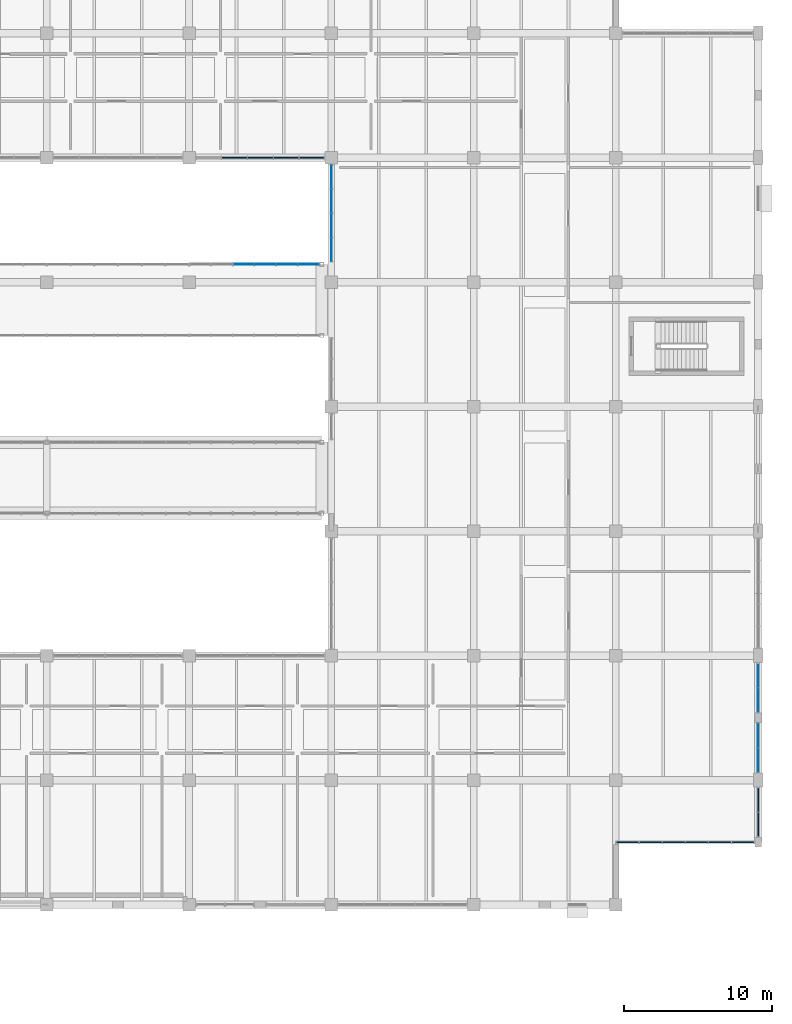
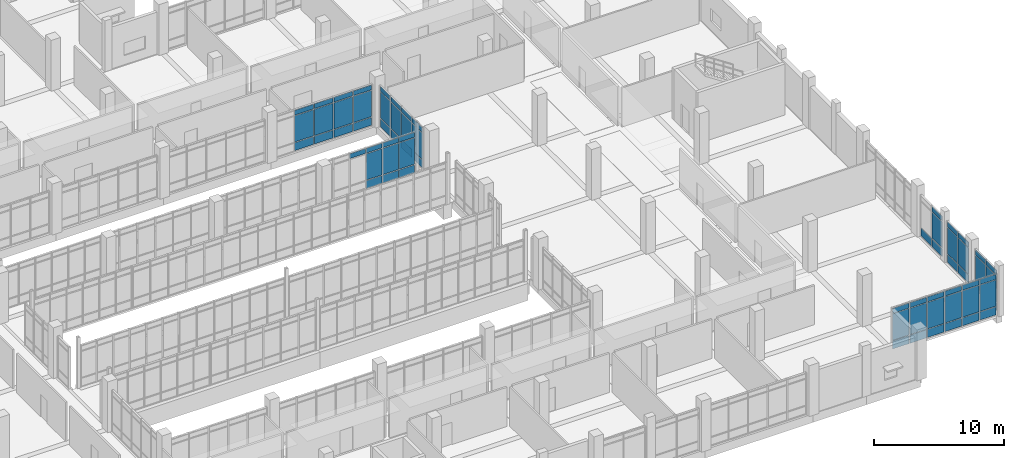
# One storey, part 103 of 152: 68 plates, 7 elements without a shape of their own.
"""IFC4 building model written with IfcOpenShell, lengths in metres."""

from ifc_helpers import new_model, si_unit, direction, frame, origin, origin_2d, place, context, subcontext, project, spatial, rectangle, extrude, material, layer, layer_set, type_object, element, aggregate, save


model = new_model("IFC4")

# Units and contexts
model_context = context("Model", 3, precision=1e-05, world=origin(), true_north=direction((0.0, 1.0)))
body_context = subcontext(model_context, "Body", "Model", "MODEL_VIEW")
ifc_project = project(units=[si_unit("LENGTHUNIT", "METRE"), si_unit("AREAUNIT", "SQUARE_METRE"), si_unit("VOLUMEUNIT", "CUBIC_METRE"), si_unit("PLANEANGLEUNIT", "RADIAN"), si_unit("MASSUNIT", "GRAM", prefix="KILO")], contexts=[model_context])

# Site, building, storey
site_placement = place(None, origin())
site = spatial("IfcSite", under=ifc_project, at=site_placement, CompositionType="ELEMENT")
building_placement = place(site_placement, origin())
building = spatial("IfcBuilding", under=site, at=building_placement, Name="Oolite Switchyard Hospital", CompositionType="ELEMENT")
storey_placement = place(building_placement, frame((0.0, 0.0, 5.10009765625)))
storey = spatial("IfcBuildingStorey", under=building, at=storey_placement, Name="L01", CompositionType="ELEMENT", Elevation=5.10009765625)

# Curtain wall, plates
ifc_material_1 = material(Name="Thermally broken aluminum frame with laminated impact glazing", Category="aluminium")
curtain_wall_type_1 = type_object("IfcCurtainWallType", Name="CW-BRG-96X38", PredefinedType="USERDEFINED", material=ifc_material_1)
curtain_wall_1_placement = place(storey_placement, origin())
curtain_wall_1 = element("IfcCurtainWall", 1, at=curtain_wall_1_placement, inside=storey, type_object=curtain_wall_type_1, Name="L01 Unitised Curtain Wall 129", ObjectType="UNITISED", PredefinedType="USERDEFINED")
ifc_material_2 = material(Name="Insulated fluoropolymer-coated aluminum spandrel panel", Category="aluminium")
ifc_layer_1 = layer(ifc_material_2, 0.054931640625)
ifc_layer_set_1 = layer_set([ifc_layer_1], Name="CW-PNL-SPN55")
plate_type_1 = type_object("IfcPlateType", Name="CW-PNL-SPN55", PredefinedType="CURTAIN_PANEL", material=ifc_layer_set_1)
plate_1_placement = place(storey_placement, frame((176.469970703125, 51.60009765625, 3.427490234375), z_axis=(0.0, 0.0, 1.0), x_axis=(1.0, 0.0, 0.0)))
plate_1 = element("IfcPlate", 2, at=plate_1_placement, type_object=plate_type_1, Name="CW-12 panel 3.3", PredefinedType="CURTAIN_PANEL", context=body_context, shape_type="SweptSolid", body=[
    extrude(rectangle(XDim=1.39794921875, YDim=0.054931640625, at=origin_2d()), origin(), (0.0, 0.0, 1.0), 0.4375),
])
plate_2_placement = place(storey_placement, frame((177.93798828125, 51.60009765625, 0.07470703125), z_axis=(0.0, 0.0, 1.0), x_axis=(1.0, 0.0, 0.0)))
plate_2 = element("IfcPlate", 3, at=plate_2_placement, type_object=plate_type_1, Name="CW-12 panel 4.1", PredefinedType="CURTAIN_PANEL", context=body_context, shape_type="SweptSolid", body=[
    extrude(rectangle(XDim=1.39794921875, YDim=0.054931640625, at=origin_2d()), origin(), (0.0, 0.0, 1.0), 0.737548828125),
])
plate_3_placement = place(storey_placement, frame((177.93798828125, 51.60009765625, 0.88720703125), z_axis=(0.0, 0.0, 1.0), x_axis=(1.0, 0.0, 0.0)))
plate_3 = element("IfcPlate", 4, at=plate_3_placement, type_object=plate_type_1, Name="CW-12 panel 4.2", PredefinedType="CURTAIN_PANEL", context=body_context, shape_type="SweptSolid", body=[
    extrude(rectangle(XDim=1.39794921875, YDim=0.054931640625, at=origin_2d()), origin(), (0.0, 0.0, 1.0), 2.465087890625),
])
plate_4_placement = place(storey_placement, frame((177.93798828125, 51.60009765625, 3.427490234375), z_axis=(0.0, 0.0, 1.0), x_axis=(1.0, 0.0, 0.0)))
plate_4 = element("IfcPlate", 5, at=plate_4_placement, type_object=plate_type_1, Name="CW-12 panel 4.3", PredefinedType="CURTAIN_PANEL", context=body_context, shape_type="SweptSolid", body=[
    extrude(rectangle(XDim=1.39794921875, YDim=0.054931640625, at=origin_2d()), origin(), (0.0, 0.0, 1.0), 0.4375),
])
plate_5_placement = place(storey_placement, frame((179.406005859375, 51.60009765625, 0.07470703125), z_axis=(0.0, 0.0, 1.0), x_axis=(1.0, 0.0, 0.0)))
plate_5 = element("IfcPlate", 6, at=plate_5_placement, type_object=plate_type_1, Name="CW-12 panel 5.1", PredefinedType="CURTAIN_PANEL", context=body_context, shape_type="SweptSolid", body=[
    extrude(rectangle(XDim=1.39794921875, YDim=0.054931640625, at=origin_2d()), origin(), (0.0, 0.0, 1.0), 0.737548828125),
])
plate_6_placement = place(storey_placement, frame((179.406005859375, 51.60009765625, 0.88720703125), z_axis=(0.0, 0.0, 1.0), x_axis=(1.0, 0.0, 0.0)))
plate_6 = element("IfcPlate", 7, at=plate_6_placement, type_object=plate_type_1, Name="CW-12 panel 5.2", PredefinedType="CURTAIN_PANEL", context=body_context, shape_type="SweptSolid", body=[
    extrude(rectangle(XDim=1.39794921875, YDim=0.054931640625, at=origin_2d()), origin(), (0.0, 0.0, 1.0), 2.465087890625),
])
plate_7_placement = place(storey_placement, frame((179.406005859375, 51.60009765625, 3.427490234375), z_axis=(0.0, 0.0, 1.0), x_axis=(1.0, 0.0, 0.0)))
plate_7 = element("IfcPlate", 8, at=plate_7_placement, type_object=plate_type_1, Name="CW-12 panel 5.3", PredefinedType="CURTAIN_PANEL", context=body_context, shape_type="SweptSolid", body=[
    extrude(rectangle(XDim=1.39794921875, YDim=0.054931640625, at=origin_2d()), origin(), (0.0, 0.0, 1.0), 0.4375),
])
plate_8_placement = place(storey_placement, frame((180.8564453125, 51.60009765625, 0.07470703125), z_axis=(0.0, 0.0, 1.0), x_axis=(1.0, 0.0, 0.0)))
plate_8 = element("IfcPlate", 9, at=plate_8_placement, type_object=plate_type_1, Name="CW-12 panel 6.1", PredefinedType="CURTAIN_PANEL", context=body_context, shape_type="SweptSolid", body=[
    extrude(rectangle(XDim=1.363037109375, YDim=0.054931640625, at=origin_2d()), origin(), (0.0, 0.0, 1.0), 0.737548828125),
])
plate_9_placement = place(storey_placement, frame((180.8564453125, 51.60009765625, 0.88720703125), z_axis=(0.0, 0.0, 1.0), x_axis=(1.0, 0.0, 0.0)))
plate_9 = element("IfcPlate", 10, at=plate_9_placement, type_object=plate_type_1, Name="CW-12 panel 6.2", PredefinedType="CURTAIN_PANEL", context=body_context, shape_type="SweptSolid", body=[
    extrude(rectangle(XDim=1.363037109375, YDim=0.054931640625, at=origin_2d()), origin(), (0.0, 0.0, 1.0), 2.465087890625),
])
plate_10_placement = place(storey_placement, frame((180.8564453125, 51.60009765625, 3.427490234375), z_axis=(0.0, 0.0, 1.0), x_axis=(1.0, 0.0, 0.0)))
plate_10 = element("IfcPlate", 11, at=plate_10_placement, type_object=plate_type_1, Name="CW-12 panel 6.3", PredefinedType="CURTAIN_PANEL", context=body_context, shape_type="SweptSolid", body=[
    extrude(rectangle(XDim=1.363037109375, YDim=0.054931640625, at=origin_2d()), origin(), (0.0, 0.0, 1.0), 0.4375),
])
aggregate(curtain_wall_1, [plate_1, plate_2, plate_3, plate_4, plate_5, plate_6, plate_7, plate_8, plate_9, plate_10])

curtain_wall_type_2 = type_object("IfcCurtainWallType", Name="CW-UNIT-96X48", PredefinedType="USERDEFINED", material=ifc_material_1)
curtain_wall_2_placement = place(storey_placement, origin())
curtain_wall_2 = element("IfcCurtainWall", 12, at=curtain_wall_2_placement, inside=storey, type_object=curtain_wall_type_2, Name="L01 Unitised Curtain Wall 102", ObjectType="UNITISED", PredefinedType="USERDEFINED")
ifc_layer_2 = layer(ifc_material_2, 0.070068359375)
ifc_layer_set_2 = layer_set([ifc_layer_2], Name="CW-PNL-SPN70")
plate_type_2 = type_object("IfcPlateType", Name="CW-PNL-SPN70", PredefinedType="CURTAIN_PANEL", material=ifc_layer_set_2)
plate_11_placement = place(storey_placement, frame((210.16259765625, 12.60009765625, 0.06005859375), z_axis=(0.0, 0.0, 1.0), x_axis=(-1.0, 0.0, 0.0)))
plate_11 = element("IfcPlate", 13, at=plate_11_placement, type_object=plate_type_2, Name="CW-02 panel 1.1", PredefinedType="CURTAIN_PANEL", context=body_context, shape_type="SweptSolid", body=[
    extrude(rectangle(XDim=1.455078125, YDim=0.070068359375, at=origin_2d()), origin(), (0.0, 0.0, 1.0), 0.760009765625),
])
plate_12_placement = place(storey_placement, frame((210.16259765625, 12.60009765625, 0.8798828125), z_axis=(0.0, 0.0, 1.0), x_axis=(-1.0, 0.0, 0.0)))
plate_12 = element("IfcPlate", 14, at=plate_12_placement, type_object=plate_type_2, Name="CW-02 panel 1.2", PredefinedType="CURTAIN_PANEL", context=body_context, shape_type="SweptSolid", body=[
    extrude(rectangle(XDim=1.455078125, YDim=0.070068359375, at=origin_2d()), origin(), (0.0, 0.0, 1.0), 2.47998046875),
])
plate_13_placement = place(storey_placement, frame((210.16259765625, 12.60009765625, 3.419921875), z_axis=(0.0, 0.0, 1.0), x_axis=(-1.0, 0.0, 0.0)))
plate_13 = element("IfcPlate", 15, at=plate_13_placement, type_object=plate_type_2, Name="CW-02 panel 1.3", PredefinedType="CURTAIN_PANEL", context=body_context, shape_type="SweptSolid", body=[
    extrude(rectangle(XDim=1.455078125, YDim=0.070068359375, at=origin_2d()), origin(), (0.0, 0.0, 1.0), 0.4599609375),
])
plate_14_placement = place(storey_placement, frame((208.6201171875, 12.60009765625, 0.06005859375), z_axis=(0.0, 0.0, 1.0), x_axis=(-1.0, 0.0, 0.0)))
plate_14 = element("IfcPlate", 16, at=plate_14_placement, type_object=plate_type_2, Name="CW-02 panel 2.1", PredefinedType="CURTAIN_PANEL", context=body_context, shape_type="SweptSolid", body=[
    extrude(rectangle(XDim=1.489990234375, YDim=0.070068359375, at=origin_2d()), origin(), (0.0, 0.0, 1.0), 0.760009765625),
])
plate_15_placement = place(storey_placement, frame((208.6201171875, 12.60009765625, 0.8798828125), z_axis=(0.0, 0.0, 1.0), x_axis=(-1.0, 0.0, 0.0)))
plate_15 = element("IfcPlate", 17, at=plate_15_placement, type_object=plate_type_2, Name="CW-02 panel 2.2", PredefinedType="CURTAIN_PANEL", context=body_context, shape_type="SweptSolid", body=[
    extrude(rectangle(XDim=1.489990234375, YDim=0.070068359375, at=origin_2d()), origin(), (0.0, 0.0, 1.0), 2.47998046875),
])
plate_16_placement = place(storey_placement, frame((208.6201171875, 12.60009765625, 3.419921875), z_axis=(0.0, 0.0, 1.0), x_axis=(-1.0, 0.0, 0.0)))
plate_16 = element("IfcPlate", 18, at=plate_16_placement, type_object=plate_type_2, Name="CW-02 panel 2.3", PredefinedType="CURTAIN_PANEL", context=body_context, shape_type="SweptSolid", body=[
    extrude(rectangle(XDim=1.489990234375, YDim=0.070068359375, at=origin_2d()), origin(), (0.0, 0.0, 1.0), 0.4599609375),
])
plate_17_placement = place(storey_placement, frame((207.06005859375, 12.60009765625, 0.06005859375), z_axis=(0.0, 0.0, 1.0), x_axis=(-1.0, 0.0, 0.0)))
plate_17 = element("IfcPlate", 19, at=plate_17_placement, type_object=plate_type_2, Name="CW-02 panel 3.1", PredefinedType="CURTAIN_PANEL", context=body_context, shape_type="SweptSolid", body=[
    extrude(rectangle(XDim=1.489990234375, YDim=0.070068359375, at=origin_2d()), origin(), (0.0, 0.0, 1.0), 0.760009765625),
])
plate_18_placement = place(storey_placement, frame((207.06005859375, 12.60009765625, 0.8798828125), z_axis=(0.0, 0.0, 1.0), x_axis=(-1.0, 0.0, 0.0)))
plate_18 = element("IfcPlate", 20, at=plate_18_placement, type_object=plate_type_2, Name="CW-02 panel 3.2", PredefinedType="CURTAIN_PANEL", context=body_context, shape_type="SweptSolid", body=[
    extrude(rectangle(XDim=1.489990234375, YDim=0.070068359375, at=origin_2d()), origin(), (0.0, 0.0, 1.0), 2.47998046875),
])
plate_19_placement = place(storey_placement, frame((207.06005859375, 12.60009765625, 3.419921875), z_axis=(0.0, 0.0, 1.0), x_axis=(-1.0, 0.0, 0.0)))
plate_19 = element("IfcPlate", 21, at=plate_19_placement, type_object=plate_type_2, Name="CW-02 panel 3.3", PredefinedType="CURTAIN_PANEL", context=body_context, shape_type="SweptSolid", body=[
    extrude(rectangle(XDim=1.489990234375, YDim=0.070068359375, at=origin_2d()), origin(), (0.0, 0.0, 1.0), 0.4599609375),
])
plate_20_placement = place(storey_placement, frame((205.5, 12.60009765625, 0.06005859375), z_axis=(0.0, 0.0, 1.0), x_axis=(-1.0, 0.0, 0.0)))
plate_20 = element("IfcPlate", 22, at=plate_20_placement, type_object=plate_type_2, Name="CW-02 panel 4.1", PredefinedType="CURTAIN_PANEL", context=body_context, shape_type="SweptSolid", body=[
    extrude(rectangle(XDim=1.489990234375, YDim=0.070068359375, at=origin_2d()), origin(), (0.0, 0.0, 1.0), 0.760009765625),
])
plate_21_placement = place(storey_placement, frame((205.5, 12.60009765625, 0.8798828125), z_axis=(0.0, 0.0, 1.0), x_axis=(-1.0, 0.0, 0.0)))
plate_21 = element("IfcPlate", 23, at=plate_21_placement, type_object=plate_type_2, Name="CW-02 panel 4.2", PredefinedType="CURTAIN_PANEL", context=body_context, shape_type="SweptSolid", body=[
    extrude(rectangle(XDim=1.489990234375, YDim=0.070068359375, at=origin_2d()), origin(), (0.0, 0.0, 1.0), 2.47998046875),
])
plate_22_placement = place(storey_placement, frame((205.5, 12.60009765625, 3.419921875), z_axis=(0.0, 0.0, 1.0), x_axis=(-1.0, 0.0, 0.0)))
plate_22 = element("IfcPlate", 24, at=plate_22_placement, type_object=plate_type_2, Name="CW-02 panel 4.3", PredefinedType="CURTAIN_PANEL", context=body_context, shape_type="SweptSolid", body=[
    extrude(rectangle(XDim=1.489990234375, YDim=0.070068359375, at=origin_2d()), origin(), (0.0, 0.0, 1.0), 0.4599609375),
])
plate_23_placement = place(storey_placement, frame((203.93994140625, 12.60009765625, 0.06005859375), z_axis=(0.0, 0.0, 1.0), x_axis=(-1.0, 0.0, 0.0)))
plate_23 = element("IfcPlate", 25, at=plate_23_placement, type_object=plate_type_2, Name="CW-02 panel 5.1", PredefinedType="CURTAIN_PANEL", context=body_context, shape_type="SweptSolid", body=[
    extrude(rectangle(XDim=1.489990234375, YDim=0.070068359375, at=origin_2d()), origin(), (0.0, 0.0, 1.0), 0.760009765625),
])
plate_24_placement = place(storey_placement, frame((203.93994140625, 12.60009765625, 0.8798828125), z_axis=(0.0, 0.0, 1.0), x_axis=(-1.0, 0.0, 0.0)))
plate_24 = element("IfcPlate", 26, at=plate_24_placement, type_object=plate_type_2, Name="CW-02 panel 5.2", PredefinedType="CURTAIN_PANEL", context=body_context, shape_type="SweptSolid", body=[
    extrude(rectangle(XDim=1.489990234375, YDim=0.070068359375, at=origin_2d()), origin(), (0.0, 0.0, 1.0), 2.47998046875),
])
plate_25_placement = place(storey_placement, frame((203.93994140625, 12.60009765625, 3.419921875), z_axis=(0.0, 0.0, 1.0), x_axis=(-1.0, 0.0, 0.0)))
plate_25 = element("IfcPlate", 27, at=plate_25_placement, type_object=plate_type_2, Name="CW-02 panel 5.3", PredefinedType="CURTAIN_PANEL", context=body_context, shape_type="SweptSolid", body=[
    extrude(rectangle(XDim=1.489990234375, YDim=0.070068359375, at=origin_2d()), origin(), (0.0, 0.0, 1.0), 0.4599609375),
])
plate_26_placement = place(storey_placement, frame((202.3974609375, 12.60009765625, 0.06005859375), z_axis=(0.0, 0.0, 1.0), x_axis=(-1.0, 0.0, 0.0)))
plate_26 = element("IfcPlate", 28, at=plate_26_placement, type_object=plate_type_2, Name="CW-02 panel 6.1", PredefinedType="CURTAIN_PANEL", context=body_context, shape_type="SweptSolid", body=[
    extrude(rectangle(XDim=1.455078125, YDim=0.070068359375, at=origin_2d()), origin(), (0.0, 0.0, 1.0), 0.760009765625),
])
plate_27_placement = place(storey_placement, frame((202.3974609375, 12.60009765625, 0.8798828125), z_axis=(0.0, 0.0, 1.0), x_axis=(-1.0, 0.0, 0.0)))
plate_27 = element("IfcPlate", 29, at=plate_27_placement, type_object=plate_type_2, Name="CW-02 panel 6.2", PredefinedType="CURTAIN_PANEL", context=body_context, shape_type="SweptSolid", body=[
    extrude(rectangle(XDim=1.455078125, YDim=0.070068359375, at=origin_2d()), origin(), (0.0, 0.0, 1.0), 2.47998046875),
])
plate_28_placement = place(storey_placement, frame((202.3974609375, 12.60009765625, 3.419921875), z_axis=(0.0, 0.0, 1.0), x_axis=(-1.0, 0.0, 0.0)))
plate_28 = element("IfcPlate", 30, at=plate_28_placement, type_object=plate_type_2, Name="CW-02 panel 6.3", PredefinedType="CURTAIN_PANEL", context=body_context, shape_type="SweptSolid", body=[
    extrude(rectangle(XDim=1.455078125, YDim=0.070068359375, at=origin_2d()), origin(), (0.0, 0.0, 1.0), 0.4599609375),
])
aggregate(curtain_wall_2, [plate_11, plate_12, plate_13, plate_14, plate_15, plate_16, plate_17, plate_18, plate_19, plate_20, plate_21, plate_22, plate_23, plate_24, plate_25, plate_26, plate_27, plate_28])

curtain_wall_3_placement = place(storey_placement, origin())
curtain_wall_3 = element("IfcCurtainWall", 31, at=curtain_wall_3_placement, inside=storey, type_object=curtain_wall_type_2, Name="L01 Unitised Curtain Wall 133", ObjectType="UNITISED", PredefinedType="USERDEFINED")
plate_29_placement = place(storey_placement, frame((181.0693359375, 58.800048828125, 0.07470703125), z_axis=(0.0, 0.0, 1.0), x_axis=(-1.0, 0.0, 0.0)))
plate_29 = element("IfcPlate", 32, at=plate_29_placement, type_object=plate_type_2, Name="CW-02 panel 1.1", PredefinedType="CURTAIN_PANEL", context=body_context, shape_type="SweptSolid", body=[
    extrude(rectangle(XDim=1.631591796875, YDim=0.070068359375, at=origin_2d()), origin(), (0.0, 0.0, 1.0), 0.737548828125),
])
plate_30_placement = place(storey_placement, frame((181.0693359375, 58.800048828125, 0.88720703125), z_axis=(0.0, 0.0, 1.0), x_axis=(-1.0, 0.0, 0.0)))
plate_30 = element("IfcPlate", 33, at=plate_30_placement, type_object=plate_type_2, Name="CW-02 panel 1.2", PredefinedType="CURTAIN_PANEL", context=body_context, shape_type="SweptSolid", body=[
    extrude(rectangle(XDim=1.631591796875, YDim=0.070068359375, at=origin_2d()), origin(), (0.0, 0.0, 1.0), 2.465087890625),
])
plate_31_placement = place(storey_placement, frame((181.0693359375, 58.800048828125, 3.427490234375), z_axis=(0.0, 0.0, 1.0), x_axis=(-1.0, 0.0, 0.0)))
plate_31 = element("IfcPlate", 34, at=plate_31_placement, type_object=plate_type_2, Name="CW-02 panel 1.3", PredefinedType="CURTAIN_PANEL", context=body_context, shape_type="SweptSolid", body=[
    extrude(rectangle(XDim=1.631591796875, YDim=0.070068359375, at=origin_2d()), origin(), (0.0, 0.0, 1.0), 0.4375),
])
plate_32_placement = place(storey_placement, frame((179.343994140625, 58.800048828125, 0.07470703125), z_axis=(0.0, 0.0, 1.0), x_axis=(-1.0, 0.0, 0.0)))
plate_32 = element("IfcPlate", 35, at=plate_32_placement, type_object=plate_type_2, Name="CW-02 panel 2.1", PredefinedType="CURTAIN_PANEL", context=body_context, shape_type="SweptSolid", body=[
    extrude(rectangle(XDim=1.6689453125, YDim=0.070068359375, at=origin_2d()), origin(), (0.0, 0.0, 1.0), 0.737548828125),
])
plate_33_placement = place(storey_placement, frame((179.343994140625, 58.800048828125, 0.88720703125), z_axis=(0.0, 0.0, 1.0), x_axis=(-1.0, 0.0, 0.0)))
plate_33 = element("IfcPlate", 36, at=plate_33_placement, type_object=plate_type_2, Name="CW-02 panel 2.2", PredefinedType="CURTAIN_PANEL", context=body_context, shape_type="SweptSolid", body=[
    extrude(rectangle(XDim=1.6689453125, YDim=0.070068359375, at=origin_2d()), origin(), (0.0, 0.0, 1.0), 2.465087890625),
])
plate_34_placement = place(storey_placement, frame((179.343994140625, 58.800048828125, 3.427490234375), z_axis=(0.0, 0.0, 1.0), x_axis=(-1.0, 0.0, 0.0)))
plate_34 = element("IfcPlate", 37, at=plate_34_placement, type_object=plate_type_2, Name="CW-02 panel 2.3", PredefinedType="CURTAIN_PANEL", context=body_context, shape_type="SweptSolid", body=[
    extrude(rectangle(XDim=1.6689453125, YDim=0.070068359375, at=origin_2d()), origin(), (0.0, 0.0, 1.0), 0.4375),
])
plate_35_placement = place(storey_placement, frame((177.60009765625, 58.800048828125, 0.07470703125), z_axis=(0.0, 0.0, 1.0), x_axis=(-1.0, 0.0, 0.0)))
plate_35 = element("IfcPlate", 38, at=plate_35_placement, type_object=plate_type_2, Name="CW-02 panel 3.1", PredefinedType="CURTAIN_PANEL", context=body_context, shape_type="SweptSolid", body=[
    extrude(rectangle(XDim=1.6689453125, YDim=0.070068359375, at=origin_2d()), origin(), (0.0, 0.0, 1.0), 0.737548828125),
])
plate_36_placement = place(storey_placement, frame((177.60009765625, 58.800048828125, 0.88720703125), z_axis=(0.0, 0.0, 1.0), x_axis=(-1.0, 0.0, 0.0)))
plate_36 = element("IfcPlate", 39, at=plate_36_placement, type_object=plate_type_2, Name="CW-02 panel 3.2", PredefinedType="CURTAIN_PANEL", context=body_context, shape_type="SweptSolid", body=[
    extrude(rectangle(XDim=1.6689453125, YDim=0.070068359375, at=origin_2d()), origin(), (0.0, 0.0, 1.0), 2.465087890625),
])
plate_37_placement = place(storey_placement, frame((177.60009765625, 58.800048828125, 3.427490234375), z_axis=(0.0, 0.0, 1.0), x_axis=(-1.0, 0.0, 0.0)))
plate_37 = element("IfcPlate", 40, at=plate_37_placement, type_object=plate_type_2, Name="CW-02 panel 3.3", PredefinedType="CURTAIN_PANEL", context=body_context, shape_type="SweptSolid", body=[
    extrude(rectangle(XDim=1.6689453125, YDim=0.070068359375, at=origin_2d()), origin(), (0.0, 0.0, 1.0), 0.4375),
])
plate_38_placement = place(storey_placement, frame((175.85595703125, 58.800048828125, 0.07470703125), z_axis=(0.0, 0.0, 1.0), x_axis=(-1.0, 0.0, 0.0)))
plate_38 = element("IfcPlate", 41, at=plate_38_placement, type_object=plate_type_2, Name="CW-02 panel 4.1", PredefinedType="CURTAIN_PANEL", context=body_context, shape_type="SweptSolid", body=[
    extrude(rectangle(XDim=1.6689453125, YDim=0.070068359375, at=origin_2d()), origin(), (0.0, 0.0, 1.0), 0.737548828125),
])
plate_39_placement = place(storey_placement, frame((175.85595703125, 58.800048828125, 0.88720703125), z_axis=(0.0, 0.0, 1.0), x_axis=(-1.0, 0.0, 0.0)))
plate_39 = element("IfcPlate", 42, at=plate_39_placement, type_object=plate_type_2, Name="CW-02 panel 4.2", PredefinedType="CURTAIN_PANEL", context=body_context, shape_type="SweptSolid", body=[
    extrude(rectangle(XDim=1.6689453125, YDim=0.070068359375, at=origin_2d()), origin(), (0.0, 0.0, 1.0), 2.465087890625),
])
plate_40_placement = place(storey_placement, frame((175.85595703125, 58.800048828125, 3.427490234375), z_axis=(0.0, 0.0, 1.0), x_axis=(-1.0, 0.0, 0.0)))
plate_40 = element("IfcPlate", 43, at=plate_40_placement, type_object=plate_type_2, Name="CW-02 panel 4.3", PredefinedType="CURTAIN_PANEL", context=body_context, shape_type="SweptSolid", body=[
    extrude(rectangle(XDim=1.6689453125, YDim=0.070068359375, at=origin_2d()), origin(), (0.0, 0.0, 1.0), 0.4375),
])
aggregate(curtain_wall_3, [plate_29, plate_30, plate_31, plate_32, plate_33, plate_34, plate_35, plate_36, plate_37, plate_38, plate_39, plate_40])

curtain_wall_type_3 = type_object("IfcCurtainWallType", Name="CW-UNIT-84X48", PredefinedType="USERDEFINED", material=ifc_material_1)
curtain_wall_4_placement = place(storey_placement, origin())
curtain_wall_4 = element("IfcCurtainWall", 44, at=curtain_wall_4_placement, inside=storey, type_object=curtain_wall_type_3, Name="L01 Unitised Curtain Wall 201", ObjectType="UNITISED", PredefinedType="USERDEFINED")
plate_41_placement = place(storey_placement, frame((211.199951171875, 15.449951171875, 0.07470703125), z_axis=(0.0, 0.0, 1.0), x_axis=(0.0, -1.0, 0.0)))
plate_41 = element("IfcPlate", 45, at=plate_41_placement, type_object=plate_type_2, Name="CW-07 panel 1.1", PredefinedType="CURTAIN_PANEL", context=body_context, shape_type="SweptSolid", body=[
    extrude(rectangle(XDim=1.580078125, YDim=0.070068359375, at=origin_2d()), origin(), (0.0, 0.0, 1.0), 0.737548828125),
])
plate_42_placement = place(storey_placement, frame((211.199951171875, 15.449951171875, 0.88720703125), z_axis=(0.0, 0.0, 1.0), x_axis=(0.0, -1.0, 0.0)))
plate_42 = element("IfcPlate", 46, at=plate_42_placement, type_object=plate_type_2, Name="CW-07 panel 1.2", PredefinedType="CURTAIN_PANEL", context=body_context, shape_type="SweptSolid", body=[
    extrude(rectangle(XDim=1.580078125, YDim=0.070068359375, at=origin_2d()), origin(), (0.0, 0.0, 1.0), 2.465087890625),
])
plate_43_placement = place(storey_placement, frame((211.199951171875, 15.449951171875, 3.427490234375), z_axis=(0.0, 0.0, 1.0), x_axis=(0.0, -1.0, 0.0)))
plate_43 = element("IfcPlate", 47, at=plate_43_placement, type_object=plate_type_2, Name="CW-07 panel 1.3", PredefinedType="CURTAIN_PANEL", context=body_context, shape_type="SweptSolid", body=[
    extrude(rectangle(XDim=1.580078125, YDim=0.070068359375, at=origin_2d()), origin(), (0.0, 0.0, 1.0), 0.4375),
])
plate_44_placement = place(storey_placement, frame((211.199951171875, 13.800048828125, 0.07470703125), z_axis=(0.0, 0.0, 1.0), x_axis=(0.0, -1.0, 0.0)))
plate_44 = element("IfcPlate", 48, at=plate_44_placement, type_object=plate_type_2, Name="CW-07 panel 2.1", PredefinedType="CURTAIN_PANEL", context=body_context, shape_type="SweptSolid", body=[
    extrude(rectangle(XDim=1.580078125, YDim=0.070068359375, at=origin_2d()), origin(), (0.0, 0.0, 1.0), 0.737548828125),
])
plate_45_placement = place(storey_placement, frame((211.199951171875, 13.800048828125, 0.88720703125), z_axis=(0.0, 0.0, 1.0), x_axis=(0.0, -1.0, 0.0)))
plate_45 = element("IfcPlate", 49, at=plate_45_placement, type_object=plate_type_2, Name="CW-07 panel 2.2", PredefinedType="CURTAIN_PANEL", context=body_context, shape_type="SweptSolid", body=[
    extrude(rectangle(XDim=1.580078125, YDim=0.070068359375, at=origin_2d()), origin(), (0.0, 0.0, 1.0), 2.465087890625),
])
plate_46_placement = place(storey_placement, frame((211.199951171875, 13.800048828125, 3.427490234375), z_axis=(0.0, 0.0, 1.0), x_axis=(0.0, -1.0, 0.0)))
plate_46 = element("IfcPlate", 50, at=plate_46_placement, type_object=plate_type_2, Name="CW-07 panel 2.3", PredefinedType="CURTAIN_PANEL", context=body_context, shape_type="SweptSolid", body=[
    extrude(rectangle(XDim=1.580078125, YDim=0.070068359375, at=origin_2d()), origin(), (0.0, 0.0, 1.0), 0.4375),
])
aggregate(curtain_wall_4, [plate_41, plate_42, plate_43, plate_44, plate_45, plate_46])

curtain_wall_5_placement = place(storey_placement, origin())
curtain_wall_5 = element("IfcCurtainWall", 51, at=curtain_wall_5_placement, inside=storey, type_object=curtain_wall_type_1, Name="L01 Unitised Curtain Wall 200", ObjectType="UNITISED", PredefinedType="USERDEFINED")
ifc_material_3 = material(Name="Laminated hurricane-impact insulated glazing unit", Category="glass")
ifc_layer_3 = layer(ifc_material_3, 0.028076171875)
ifc_layer_set_3 = layer_set([ifc_layer_3], Name="CW-PNL-VIS28")
plate_type_3 = type_object("IfcPlateType", Name="CW-PNL-VIS28", PredefinedType="CURTAIN_PANEL", material=ifc_layer_set_3)
plate_47_placement = place(storey_placement, frame((182.39990234375, 52.60009765625, 0.06005859375), z_axis=(0.0, 0.0, 1.0), x_axis=(0.0, 1.0, 0.0)))
plate_47 = element("IfcPlate", 52, at=plate_47_placement, type_object=plate_type_3, Name="CW-12 panel 1.1", PredefinedType="CURTAIN_PANEL", context=body_context, shape_type="SweptSolid", body=[
    extrude(rectangle(XDim=1.56005859375, YDim=0.028076171875, at=origin_2d()), origin(), (0.0, 0.0, 1.0), 0.760009765625),
])
plate_48_placement = place(storey_placement, frame((182.39990234375, 52.60009765625, 0.8798828125), z_axis=(0.0, 0.0, 1.0), x_axis=(0.0, 1.0, 0.0)))
plate_48 = element("IfcPlate", 53, at=plate_48_placement, type_object=plate_type_3, Name="CW-12 panel 1.2", PredefinedType="CURTAIN_PANEL", context=body_context, shape_type="SweptSolid", body=[
    extrude(rectangle(XDim=1.56005859375, YDim=0.028076171875, at=origin_2d()), origin(), (0.0, 0.0, 1.0), 2.47998046875),
])
plate_49_placement = place(storey_placement, frame((182.39990234375, 52.60009765625, 3.419921875), z_axis=(0.0, 0.0, 1.0), x_axis=(0.0, 1.0, 0.0)))
plate_49 = element("IfcPlate", 54, at=plate_49_placement, type_object=plate_type_3, Name="CW-12 panel 1.3", PredefinedType="CURTAIN_PANEL", context=body_context, shape_type="SweptSolid", body=[
    extrude(rectangle(XDim=1.56005859375, YDim=0.028076171875, at=origin_2d()), origin(), (0.0, 0.0, 1.0), 0.4599609375),
])
plate_50_placement = place(storey_placement, frame((182.39990234375, 54.235107421875, 0.06005859375), z_axis=(0.0, 0.0, 1.0), x_axis=(0.0, 1.0, 0.0)))
plate_50 = element("IfcPlate", 55, at=plate_50_placement, type_object=plate_type_3, Name="CW-12 panel 2.1", PredefinedType="CURTAIN_PANEL", context=body_context, shape_type="SweptSolid", body=[
    extrude(rectangle(XDim=1.590087890625, YDim=0.028076171875, at=origin_2d()), origin(), (0.0, 0.0, 1.0), 0.760009765625),
])
plate_51_placement = place(storey_placement, frame((182.39990234375, 54.235107421875, 0.8798828125), z_axis=(0.0, 0.0, 1.0), x_axis=(0.0, 1.0, 0.0)))
plate_51 = element("IfcPlate", 56, at=plate_51_placement, type_object=plate_type_3, Name="CW-12 panel 2.2", PredefinedType="CURTAIN_PANEL", context=body_context, shape_type="SweptSolid", body=[
    extrude(rectangle(XDim=1.590087890625, YDim=0.028076171875, at=origin_2d()), origin(), (0.0, 0.0, 1.0), 2.47998046875),
])
plate_52_placement = place(storey_placement, frame((182.39990234375, 54.235107421875, 3.419921875), z_axis=(0.0, 0.0, 1.0), x_axis=(0.0, 1.0, 0.0)))
plate_52 = element("IfcPlate", 57, at=plate_52_placement, type_object=plate_type_3, Name="CW-12 panel 2.3", PredefinedType="CURTAIN_PANEL", context=body_context, shape_type="SweptSolid", body=[
    extrude(rectangle(XDim=1.590087890625, YDim=0.028076171875, at=origin_2d()), origin(), (0.0, 0.0, 1.0), 0.4599609375),
])
plate_53_placement = place(storey_placement, frame((182.39990234375, 55.885009765625, 0.06005859375), z_axis=(0.0, 0.0, 1.0), x_axis=(0.0, 1.0, 0.0)))
plate_53 = element("IfcPlate", 58, at=plate_53_placement, type_object=plate_type_3, Name="CW-12 panel 3.1", PredefinedType="CURTAIN_PANEL", context=body_context, shape_type="SweptSolid", body=[
    extrude(rectangle(XDim=1.590087890625, YDim=0.028076171875, at=origin_2d()), origin(), (0.0, 0.0, 1.0), 0.760009765625),
])
plate_54_placement = place(storey_placement, frame((182.39990234375, 55.885009765625, 0.8798828125), z_axis=(0.0, 0.0, 1.0), x_axis=(0.0, 1.0, 0.0)))
plate_54 = element("IfcPlate", 59, at=plate_54_placement, type_object=plate_type_3, Name="CW-12 panel 3.2", PredefinedType="CURTAIN_PANEL", context=body_context, shape_type="SweptSolid", body=[
    extrude(rectangle(XDim=1.590087890625, YDim=0.028076171875, at=origin_2d()), origin(), (0.0, 0.0, 1.0), 2.47998046875),
])
plate_55_placement = place(storey_placement, frame((182.39990234375, 55.885009765625, 3.419921875), z_axis=(0.0, 0.0, 1.0), x_axis=(0.0, 1.0, 0.0)))
plate_55 = element("IfcPlate", 60, at=plate_55_placement, type_object=plate_type_3, Name="CW-12 panel 3.3", PredefinedType="CURTAIN_PANEL", context=body_context, shape_type="SweptSolid", body=[
    extrude(rectangle(XDim=1.590087890625, YDim=0.028076171875, at=origin_2d()), origin(), (0.0, 0.0, 1.0), 0.4599609375),
])
plate_56_placement = place(storey_placement, frame((182.39990234375, 57.52001953125, 0.06005859375), z_axis=(0.0, 0.0, 1.0), x_axis=(0.0, 1.0, 0.0)))
plate_56 = element("IfcPlate", 61, at=plate_56_placement, type_object=plate_type_3, Name="CW-12 panel 4.1", PredefinedType="CURTAIN_PANEL", context=body_context, shape_type="SweptSolid", body=[
    extrude(rectangle(XDim=1.56005859375, YDim=0.028076171875, at=origin_2d()), origin(), (0.0, 0.0, 1.0), 0.760009765625),
])
plate_57_placement = place(storey_placement, frame((182.39990234375, 57.52001953125, 0.8798828125), z_axis=(0.0, 0.0, 1.0), x_axis=(0.0, 1.0, 0.0)))
plate_57 = element("IfcPlate", 62, at=plate_57_placement, type_object=plate_type_3, Name="CW-12 panel 4.2", PredefinedType="CURTAIN_PANEL", context=body_context, shape_type="SweptSolid", body=[
    extrude(rectangle(XDim=1.56005859375, YDim=0.028076171875, at=origin_2d()), origin(), (0.0, 0.0, 1.0), 2.47998046875),
])
plate_58_placement = place(storey_placement, frame((182.39990234375, 57.52001953125, 3.419921875), z_axis=(0.0, 0.0, 1.0), x_axis=(0.0, 1.0, 0.0)))
plate_58 = element("IfcPlate", 63, at=plate_58_placement, type_object=plate_type_3, Name="CW-12 panel 4.3", PredefinedType="CURTAIN_PANEL", context=body_context, shape_type="SweptSolid", body=[
    extrude(rectangle(XDim=1.56005859375, YDim=0.028076171875, at=origin_2d()), origin(), (0.0, 0.0, 1.0), 0.4599609375),
])
aggregate(curtain_wall_5, [plate_47, plate_48, plate_49, plate_50, plate_51, plate_52, plate_53, plate_54, plate_55, plate_56, plate_57, plate_58])

curtain_wall_6_placement = place(storey_placement, origin())
curtain_wall_6 = element("IfcCurtainWall", 64, at=curtain_wall_6_placement, inside=storey, type_object=curtain_wall_type_3, Name="L01 Unitised Curtain Wall 203", ObjectType="UNITISED", PredefinedType="USERDEFINED")
ifc_layer_4 = layer(ifc_material_3, 0.035888671875)
ifc_layer_set_4 = layer_set([ifc_layer_4], Name="CW-PNL-VIS36")
plate_type_4 = type_object("IfcPlateType", Name="CW-PNL-VIS36", PredefinedType="CURTAIN_PANEL", material=ifc_layer_set_4)
plate_59_placement = place(storey_placement, frame((211.199951171875, 23.8525390625, 0.07470703125), z_axis=(0.0, 0.0, 1.0), x_axis=(0.0, -1.0, 0.0)))
plate_59 = element("IfcPlate", 65, at=plate_59_placement, type_object=plate_type_4, Name="CW-07 panel 1.1", PredefinedType="CURTAIN_PANEL", context=body_context, shape_type="SweptSolid", body=[
    extrude(rectangle(XDim=1.594970703125, YDim=0.035888671875, at=origin_2d()), origin(), (0.0, 0.0, 1.0), 0.737548828125),
])
plate_60_placement = place(storey_placement, frame((211.199951171875, 22.197509765625, 0.07470703125), z_axis=(0.0, 0.0, 1.0), x_axis=(0.0, -1.0, 0.0)))
plate_60 = element("IfcPlate", 66, at=plate_60_placement, type_object=plate_type_4, Name="CW-07 panel 2.1", PredefinedType="CURTAIN_PANEL", context=body_context, shape_type="SweptSolid", body=[
    extrude(rectangle(XDim=1.594970703125, YDim=0.035888671875, at=origin_2d()), origin(), (0.0, 0.0, 1.0), 0.737548828125),
])
plate_61_placement = place(storey_placement, frame((211.199951171875, 22.197509765625, 0.88720703125), z_axis=(0.0, 0.0, 1.0), x_axis=(0.0, -1.0, 0.0)))
plate_61 = element("IfcPlate", 67, at=plate_61_placement, type_object=plate_type_4, Name="CW-07 panel 2.2", PredefinedType="CURTAIN_PANEL", context=body_context, shape_type="SweptSolid", body=[
    extrude(rectangle(XDim=1.594970703125, YDim=0.035888671875, at=origin_2d()), origin(), (0.0, 0.0, 1.0), 2.465087890625),
])
plate_62_placement = place(storey_placement, frame((211.199951171875, 22.197509765625, 3.427490234375), z_axis=(0.0, 0.0, 1.0), x_axis=(0.0, -1.0, 0.0)))
plate_62 = element("IfcPlate", 68, at=plate_62_placement, type_object=plate_type_4, Name="CW-07 panel 2.3", PredefinedType="CURTAIN_PANEL", context=body_context, shape_type="SweptSolid", body=[
    extrude(rectangle(XDim=1.594970703125, YDim=0.035888671875, at=origin_2d()), origin(), (0.0, 0.0, 1.0), 0.4375),
])
aggregate(curtain_wall_6, [plate_59, plate_60, plate_61, plate_62])

curtain_wall_7_placement = place(storey_placement, origin())
curtain_wall_7 = element("IfcCurtainWall", 69, at=curtain_wall_7_placement, inside=storey, type_object=curtain_wall_type_3, Name="L01 Unitised Curtain Wall 204", ObjectType="UNITISED", PredefinedType="USERDEFINED")
ifc_layer_5 = layer(ifc_material_3, 0.0419921875)
ifc_layer_set_5 = layer_set([ifc_layer_5], Name="CW-PNL-VIS42")
plate_type_5 = type_object("IfcPlateType", Name="CW-PNL-VIS42", PredefinedType="CURTAIN_PANEL", material=ifc_layer_set_5)
plate_63_placement = place(storey_placement, frame((211.199951171875, 19.800048828125, 0.06005859375), z_axis=(0.0, 0.0, 1.0), x_axis=(0.0, -1.0, 0.0)))
plate_63 = element("IfcPlate", 70, at=plate_63_placement, type_object=plate_type_5, Name="CW-07 panel 1.1", PredefinedType="CURTAIN_PANEL", context=body_context, shape_type="SweptSolid", body=[
    extrude(rectangle(XDim=1.580078125, YDim=0.0419921875, at=origin_2d()), origin(), (0.0, 0.0, 1.0), 0.760009765625),
])
plate_64_placement = place(storey_placement, frame((211.199951171875, 19.800048828125, 0.8798828125), z_axis=(0.0, 0.0, 1.0), x_axis=(0.0, -1.0, 0.0)))
plate_64 = element("IfcPlate", 71, at=plate_64_placement, type_object=plate_type_5, Name="CW-07 panel 1.2", PredefinedType="CURTAIN_PANEL", context=body_context, shape_type="SweptSolid", body=[
    extrude(rectangle(XDim=1.580078125, YDim=0.0419921875, at=origin_2d()), origin(), (0.0, 0.0, 1.0), 2.47998046875),
])
plate_65_placement = place(storey_placement, frame((211.199951171875, 19.800048828125, 3.419921875), z_axis=(0.0, 0.0, 1.0), x_axis=(0.0, -1.0, 0.0)))
plate_65 = element("IfcPlate", 72, at=plate_65_placement, type_object=plate_type_5, Name="CW-07 panel 1.3", PredefinedType="CURTAIN_PANEL", context=body_context, shape_type="SweptSolid", body=[
    extrude(rectangle(XDim=1.580078125, YDim=0.0419921875, at=origin_2d()), origin(), (0.0, 0.0, 1.0), 0.4599609375),
])
plate_66_placement = place(storey_placement, frame((211.199951171875, 18.14990234375, 0.06005859375), z_axis=(0.0, 0.0, 1.0), x_axis=(0.0, -1.0, 0.0)))
plate_66 = element("IfcPlate", 73, at=plate_66_placement, type_object=plate_type_5, Name="CW-07 panel 2.1", PredefinedType="CURTAIN_PANEL", context=body_context, shape_type="SweptSolid", body=[
    extrude(rectangle(XDim=1.580078125, YDim=0.0419921875, at=origin_2d()), origin(), (0.0, 0.0, 1.0), 0.760009765625),
])
plate_67_placement = place(storey_placement, frame((211.199951171875, 18.14990234375, 0.8798828125), z_axis=(0.0, 0.0, 1.0), x_axis=(0.0, -1.0, 0.0)))
plate_67 = element("IfcPlate", 74, at=plate_67_placement, type_object=plate_type_5, Name="CW-07 panel 2.2", PredefinedType="CURTAIN_PANEL", context=body_context, shape_type="SweptSolid", body=[
    extrude(rectangle(XDim=1.580078125, YDim=0.0419921875, at=origin_2d()), origin(), (0.0, 0.0, 1.0), 2.47998046875),
])
plate_68_placement = place(storey_placement, frame((211.199951171875, 18.14990234375, 3.419921875), z_axis=(0.0, 0.0, 1.0), x_axis=(0.0, -1.0, 0.0)))
plate_68 = element("IfcPlate", 75, at=plate_68_placement, type_object=plate_type_5, Name="CW-07 panel 2.3", PredefinedType="CURTAIN_PANEL", context=body_context, shape_type="SweptSolid", body=[
    extrude(rectangle(XDim=1.580078125, YDim=0.0419921875, at=origin_2d()), origin(), (0.0, 0.0, 1.0), 0.4599609375),
])
aggregate(curtain_wall_7, [plate_63, plate_64, plate_65, plate_66, plate_67, plate_68])

save(model, "model.ifc")
